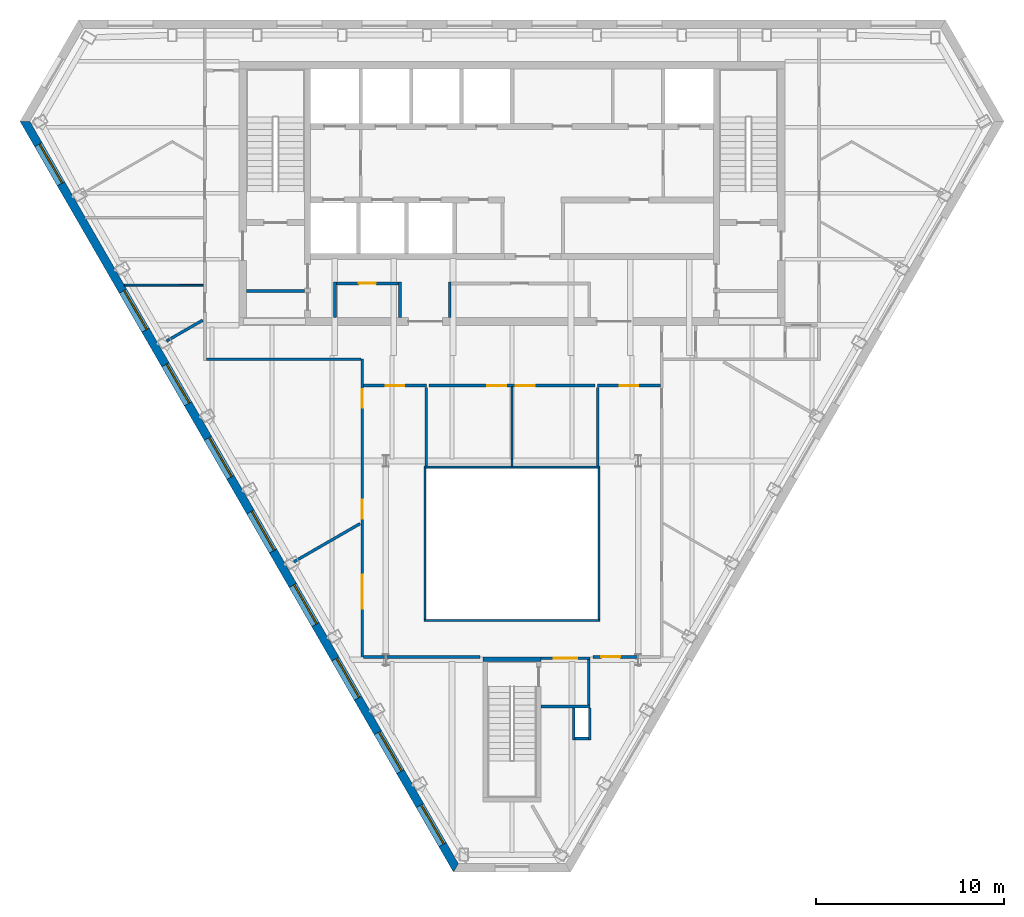
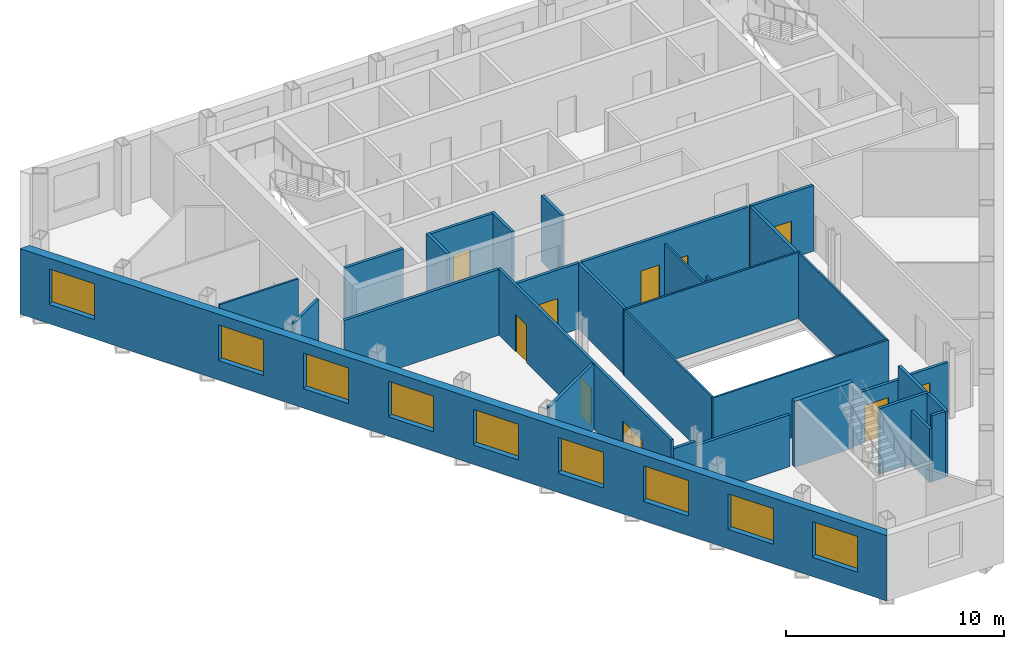
# One storey, part 4 of 10: 32 walls, 10 doors, 9 windows, 19 openings.
"""IFC4 building model written with IfcOpenShell, lengths in metres."""

from ifc_helpers import new_model, si_unit, direction, frame, frame_2d, origin, place, context, subcontext, project, spatial, polyline, rectangle, outline, extrude, material, layer, layer_set, type_object, element, fill, save


model = new_model("IFC4")

# Units and contexts
model_context = context("Model", 3, precision=1e-05, world=origin(), true_north=direction((0.0, 1.0)))
body_context = subcontext(model_context, "Body", "Model", "MODEL_VIEW")
ifc_project = project(units=[si_unit("LENGTHUNIT", "METRE"), si_unit("AREAUNIT", "SQUARE_METRE"), si_unit("VOLUMEUNIT", "CUBIC_METRE"), si_unit("PLANEANGLEUNIT", "RADIAN"), si_unit("MASSUNIT", "GRAM", prefix="KILO")], contexts=[model_context])

# Site, building, storey
site_placement = place(None, origin())
site = spatial("IfcSite", under=ifc_project, at=site_placement, CompositionType="ELEMENT")
building_placement = place(site_placement, origin())
building = spatial("IfcBuilding", under=site, at=building_placement, Name="Njiva Tower", CompositionType="ELEMENT")
storey_placement = place(building_placement, frame((0.0, 0.0, 245.4)))
storey = spatial("IfcBuildingStorey", under=building, at=storey_placement, Name="L55", CompositionType="ELEMENT", Elevation=245.4)

# Walls
ifc_material_1 = material(Name="Blockwork", Category="masonry")
ifc_layer_1 = layer(ifc_material_1, 0.15)
ifc_layer_set_1 = layer_set([ifc_layer_1], Name="Blockwork")
wall_type_1 = type_object("IfcWallType", Name="WT1 Compartment partition 150", PredefinedType="PARTITIONING", material=ifc_layer_set_1)
wall_1_placement = place(storey_placement, frame((-14.1, 5.825, 0.0), z_axis=(0.0, 0.0, 1.0), x_axis=(1.0, 0.0, 0.0)))
element("IfcWall", 1, at=wall_1_placement, inside=storey, type_object=wall_type_1, Name="Room wall A", PredefinedType="PARTITIONING", context=body_context, shape_type="SweptSolid", body=[
    extrude(rectangle(XDim=3.1, YDim=0.15, at=frame_2d((1.55, 0.0))), origin(), (0.0, 0.0, 1.0), 3.7),
])
for number, where, z_axis, x_axis, name in (
    (2, (-9.4, 4.4, 0.0), (0.0, 0.0, 1.0), (0.0, 1.0, 0.0), "First aid room wall west"),
    (3, (-5.95, 4.4, 0.0), (0.0, 0.0, 1.0), (0.0, 1.0, 0.0), "First aid room wall east"),
):
    element("IfcWall", number, at=place(storey_placement, frame(where, z_axis=z_axis, x_axis=x_axis)), inside=storey, type_object=wall_type_1, Name=name, PredefinedType="PARTITIONING", context=body_context, shape_type="SweptSolid", body=[
        extrude(rectangle(XDim=1.895, YDim=0.15, at=frame_2d((0.9475, 0.0))), origin(), (0.0, 0.0, 1.0), 3.7),
    ])

# Wall, opening, door
wall_2_placement = place(storey_placement, frame((-9.325, 6.22, 0.0), z_axis=(0.0, 0.0, 1.0), x_axis=(1.0, 0.0, 0.0)))
wall_2 = element("IfcWall", 4, at=wall_2_placement, inside=storey, type_object=wall_type_1, Name="First aid room wall north", PredefinedType="PARTITIONING", context=body_context, shape_type="SweptSolid", body=[
    extrude(rectangle(XDim=3.3, YDim=0.15, at=frame_2d((1.65, 0.0))), origin(), (0.0, 0.0, 1.0), 3.7),
])
opening_1_placement = place(wall_2_placement, frame((1.2, 0.0, 0.0)))
opening_1 = element("IfcOpeningElement", 5, at=opening_1_placement, cuts=wall_2, Name="Opening S18-D923", PredefinedType="OPENING", context=body_context, shape_type="SweptSolid", body=[
    extrude(rectangle(XDim=0.9, YDim=2.1, at=frame_2d((0.45, 1.05))), frame((0.0, 0.085, 0.0), z_axis=(0.0, -1.0, 0.0), x_axis=(1.0, 0.0, 0.0)), (0.0, 0.0, 1.0), 0.17),
])
ifc_material_2 = material(Name="Steel fire door, painted", Category="steel")
door_type_1 = type_object("IfcDoorType", Name="D6 Fire-rated door 900x2100", OperationType="SINGLE_SWING_LEFT", PredefinedType="DOOR", material=ifc_material_2)
door_1_placement = place(opening_1_placement, origin())
door_1 = element("IfcDoor", 6, at=door_1_placement, inside=storey, type_object=door_type_1, Name="First aid room door", OperationType="SINGLE_SWING_RIGHT", OverallHeight=2.1, OverallWidth=0.9, PredefinedType="DOOR", context=body_context, shape_type="SweptSolid", body=[
    extrude(rectangle(XDim=0.9, YDim=2.1, at=frame_2d((0.45, 1.05))), frame((0.0, 0.025, 0.0), z_axis=(0.0, -1.0, 0.0), x_axis=(1.0, 0.0, 0.0)), (0.0, 0.0, 1.0), 0.05),
])
fill(opening_1, door_1)

# Walls
wall_3_placement = place(storey_placement, frame((-3.3, 4.4, 0.0), z_axis=(0.0, 0.0, 1.0), x_axis=(0.0, 1.0, 0.0)))
element("IfcWall", 7, at=wall_3_placement, inside=storey, type_object=wall_type_1, Name="Parcel room wall west", PredefinedType="PARTITIONING", context=body_context, shape_type="SweptSolid", body=[
    extrude(rectangle(XDim=1.895, YDim=0.15, at=frame_2d((0.9475, 0.0))), origin(), (0.0, 0.0, 1.0), 3.7),
])
ifc_material_3 = material(Name="Gypsum board on steel studs", Category="gypsum")
ifc_layer_2 = layer(ifc_material_3, 0.1)
ifc_layer_set_2 = layer_set([ifc_layer_2], Name="Gypsum board on steel studs")
wall_type_2 = type_object("IfcWallType", Name="WT20 Gypsum partition 100", PredefinedType="PARTITIONING", material=ifc_layer_set_2)
wall_4_placement = place(storey_placement, frame((-20.572, 6.132, 0.0), z_axis=(0.0, 0.0, 1.0), x_axis=(0.999998183352, -0.001906119959, 0.0)))
element("IfcWall", 8, at=wall_4_placement, inside=storey, type_object=wall_type_2, Name="Partition S18-P003", PredefinedType="PARTITIONING", context=body_context, shape_type="SweptSolid", body=[
    extrude(rectangle(XDim=4.197, YDim=0.1, at=frame_2d((2.0985, 0.0))), origin(), (0.0, 0.0, 1.0), 3.7),
])
wall_5_placement = place(storey_placement, frame((-0.001, 0.725, 0.0), z_axis=(0.0, 0.0, 1.0), x_axis=(0.000235294111, -0.999999972318, 0.0)))
element("IfcWall", 9, at=wall_5_placement, inside=storey, type_object=wall_type_2, Name="Partition S18-P016", PredefinedType="PARTITIONING", context=body_context, shape_type="SweptSolid", body=[
    extrude(rectangle(XDim=3.825, YDim=0.1, at=frame_2d((1.9125, 0.0))), origin(), (0.0, 0.0, 1.0), 3.2),
])
wall_6_placement = place(storey_placement, frame((-0.0001, -3.1, 0.0), z_axis=(0.0, 0.0, 1.0), x_axis=(0.000263157886, -0.999999965374, 0.0)))
element("IfcWall", 10, at=wall_6_placement, inside=storey, type_object=wall_type_2, Name="Partition S18-P016A", PredefinedType="PARTITIONING", context=body_context, shape_type="SweptSolid", body=[
    extrude(rectangle(XDim=0.38, YDim=0.1, at=frame_2d((0.19, 0.0))), origin(), (0.0, 0.0, 1.0), 3.7),
])
ifc_layer_3 = layer(ifc_material_3, 0.15)
ifc_layer_set_3 = layer_set([ifc_layer_3], Name="Gypsum board on steel studs")
wall_type_3 = type_object("IfcWallType", Name="WT21 Compartment wall 150", PredefinedType="PARTITIONING", material=ifc_layer_set_3)
wall_7_placement = place(storey_placement, frame((-18.337, 3.159, 0.0), z_axis=(0.0, 0.0, 1.0), x_axis=(0.866297945504, 0.499527646498, 0.0)))
element("IfcWall", 11, at=wall_7_placement, inside=storey, type_object=wall_type_3, Name="Partition S18-P004", PredefinedType="PARTITIONING", context=body_context, shape_type="SweptSolid", body=[
    extrude(rectangle(XDim=2.2221, YDim=0.15, at=frame_2d((1.1111, 0.0))), origin(), (0.0, 0.0, 1.0), 3.7),
])
wall_8_placement = place(storey_placement, frame((-16.225, 2.2, 0.0), z_axis=(0.0, 0.0, 1.0), x_axis=(1.0, 0.0, 0.0)))
element("IfcWall", 12, at=wall_8_placement, inside=storey, type_object=wall_type_3, Name="Partition S18-P008", PredefinedType="PARTITIONING", context=body_context, shape_type="SweptSolid", body=[
    extrude(rectangle(XDim=8.2, YDim=0.15, at=frame_2d((4.1, 0.0))), origin(), (0.0, 0.0, 1.0), 3.7),
])
wall_9_placement = place(storey_placement, frame((-11.574, -8.554, 0.0), z_axis=(0.0, 0.0, 1.0), x_axis=(0.866202010042, 0.499693984153, 0.0)))
element("IfcWall", 13, at=wall_9_placement, inside=storey, type_object=wall_type_3, Name="Partition S18-P010", PredefinedType="PARTITIONING", context=body_context, shape_type="SweptSolid", body=[
    extrude(rectangle(XDim=4.0545, YDim=0.15, at=frame_2d((2.0272, 0.0))), origin(), (0.0, 0.0, 1.0), 3.7),
])

# Wall, openings, doors
wall_10_placement = place(storey_placement, frame((-7.95, -13.675, 0.0), z_axis=(0.0, 0.0, 1.0), x_axis=(0.0, 1.0, 0.0)))
wall_10 = element("IfcWall", 14, at=wall_10_placement, inside=storey, type_object=wall_type_3, Name="Partition S18-P011", PredefinedType="PARTITIONING", context=body_context, shape_type="SweptSolid", body=[
    extrude(rectangle(XDim=15.887, YDim=0.15, at=frame_2d((7.9435, 0.0))), origin(), (0.0, 0.0, 1.0), 3.7),
])
opening_2_placement = place(wall_10_placement, frame((2.642, 0.0, 0.0)))
opening_2 = element("IfcOpeningElement", 15, at=opening_2_placement, cuts=wall_10, Name="Opening S18-D006", PredefinedType="OPENING", context=body_context, shape_type="SweptSolid", body=[
    extrude(rectangle(XDim=1.8, YDim=2.1, at=frame_2d((0.9, 1.05))), frame((0.0, 0.085, 0.0), z_axis=(0.0, -1.0, 0.0), x_axis=(1.0, 0.0, 0.0)), (0.0, 0.0, 1.0), 0.17),
])
opening_3_placement = place(wall_10_placement, frame((7.411, 0.0, 0.0)))
opening_3 = element("IfcOpeningElement", 16, at=opening_3_placement, cuts=wall_10, Name="Opening S18-D007", PredefinedType="OPENING", context=body_context, shape_type="SweptSolid", body=[
    extrude(rectangle(XDim=1.0, YDim=2.1, at=frame_2d((0.5, 1.05))), frame((0.0, 0.085, 0.0), z_axis=(0.0, -1.0, 0.0), x_axis=(1.0, 0.0, 0.0)), (0.0, 0.0, 1.0), 0.17),
])
opening_4_placement = place(wall_10_placement, frame((13.287, 0.0, 0.0)))
opening_4 = element("IfcOpeningElement", 17, at=opening_4_placement, cuts=wall_10, Name="Opening S18-D008", PredefinedType="OPENING", context=body_context, shape_type="SweptSolid", body=[
    extrude(rectangle(XDim=1.0, YDim=2.1, at=frame_2d((0.5, 1.05))), frame((0.0, 0.085, 0.0), z_axis=(0.0, -1.0, 0.0), x_axis=(1.0, 0.0, 0.0)), (0.0, 0.0, 1.0), 0.17),
])
ifc_material_4 = material(Name="Steel fire door set", Category="steel")
door_type_2 = type_object("IfcDoorType", Name="D37 Fire door 1000x2100", OperationType="SINGLE_SWING_LEFT", PredefinedType="DOOR", material=ifc_material_4)
door_2_placement = place(opening_3_placement, origin())
door_2 = element("IfcDoor", 18, at=door_2_placement, inside=storey, type_object=door_type_2, Name="Door S18-D007", OperationType="SINGLE_SWING_RIGHT", OverallHeight=2.1, OverallWidth=1.0, PredefinedType="DOOR", context=body_context, shape_type="SweptSolid", body=[
    extrude(rectangle(XDim=1.0, YDim=2.1, at=frame_2d((0.5, 1.05))), frame((0.0, 0.025, 0.0), z_axis=(0.0, -1.0, 0.0), x_axis=(1.0, 0.0, 0.0)), (0.0, 0.0, 1.0), 0.05),
])
fill(opening_3, door_2)
door_3_placement = place(opening_4_placement, origin())
door_3 = element("IfcDoor", 19, at=door_3_placement, inside=storey, type_object=door_type_2, Name="Door S18-D008", OperationType="SINGLE_SWING_LEFT", OverallHeight=2.1, OverallWidth=1.0, PredefinedType="DOOR", context=body_context, shape_type="SweptSolid", body=[
    extrude(rectangle(XDim=1.0, YDim=2.1, at=frame_2d((0.5, 1.05))), frame((0.0, 0.025, 0.0), z_axis=(0.0, -1.0, 0.0), x_axis=(1.0, 0.0, 0.0)), (0.0, 0.0, 1.0), 0.05),
])
fill(opening_4, door_3)
door_type_3 = type_object("IfcDoorType", Name="D38 Fire door 1800x2100", OperationType="DOUBLE_DOOR_SINGLE_SWING", PredefinedType="DOOR", material=ifc_material_4)
door_4_placement = place(opening_2_placement, origin())
door_4 = element("IfcDoor", 20, at=door_4_placement, inside=storey, type_object=door_type_3, Name="Door S18-D006", OperationType="DOUBLE_DOOR_SINGLE_SWING", OverallHeight=2.1, OverallWidth=1.8, PredefinedType="DOOR", context=body_context, shape_type="SweptSolid", body=[
    extrude(rectangle(XDim=1.8, YDim=2.1, at=frame_2d((0.9, 1.05))), frame((0.0, 0.025, 0.0), z_axis=(0.0, -1.0, 0.0), x_axis=(1.0, 0.0, 0.0)), (0.0, 0.0, 1.0), 0.05),
])
fill(opening_2, door_4)

# Walls
wall_11_placement = place(storey_placement, frame((-7.875, -13.6, 0.0), z_axis=(0.0, 0.0, 1.0), x_axis=(1.0, 0.0, 0.0)))
element("IfcWall", 21, at=wall_11_placement, inside=storey, type_object=wall_type_3, Name="Partition S18-P012", PredefinedType="PARTITIONING", context=body_context, shape_type="SweptSolid", body=[
    extrude(rectangle(XDim=1.175, YDim=0.15, at=frame_2d((0.5875, 0.0))), origin(), (0.0, 0.0, 1.0), 3.16),
])
wall_12_placement = place(storey_placement, frame((-6.7, -13.6, 0.0), z_axis=(0.0, 0.0, 1.0), x_axis=(1.0, 0.0, 0.0)))
element("IfcWall", 22, at=wall_12_placement, inside=storey, type_object=wall_type_3, Name="Partition S18-P012A", PredefinedType="PARTITIONING", context=body_context, shape_type="SweptSolid", body=[
    extrude(rectangle(XDim=5.0, YDim=0.15, at=frame_2d((2.5, 0.0))), origin(), (0.0, 0.0, 1.0), 2.91),
])

# Wall, opening, door
wall_13_placement = place(storey_placement, frame((-7.875, 0.8, 0.0), z_axis=(0.0, 0.0, 1.0), x_axis=(1.0, 0.0, 0.0)))
wall_13 = element("IfcWall", 23, at=wall_13_placement, inside=storey, type_object=wall_type_3, Name="Partition S18-P013", PredefinedType="PARTITIONING", context=body_context, shape_type="SweptSolid", body=[
    extrude(rectangle(XDim=3.337, YDim=0.15, at=frame_2d((1.6685, 0.0))), origin(), (0.0, 0.0, 1.0), 3.7),
])
opening_5_placement = place(wall_13_placement, frame((1.168, 0.0, 0.0)))
opening_5 = element("IfcOpeningElement", 24, at=opening_5_placement, cuts=wall_13, Name="Opening S18-D009", PredefinedType="OPENING", context=body_context, shape_type="SweptSolid", body=[
    extrude(rectangle(XDim=1.0, YDim=2.1, at=frame_2d((0.5, 1.05))), frame((0.0, 0.085, 0.0), z_axis=(0.0, -1.0, 0.0), x_axis=(1.0, 0.0, 0.0)), (0.0, 0.0, 1.0), 0.17),
])
door_5_placement = place(opening_5_placement, origin())
door_5 = element("IfcDoor", 25, at=door_5_placement, inside=storey, type_object=door_type_2, Name="Door S18-D009", OperationType="SINGLE_SWING_RIGHT", OverallHeight=2.1, OverallWidth=1.0, PredefinedType="DOOR", context=body_context, shape_type="SweptSolid", body=[
    extrude(rectangle(XDim=1.0, YDim=2.1, at=frame_2d((0.5, 1.05))), frame((0.0, 0.025, 0.0), z_axis=(0.0, -1.0, 0.0), x_axis=(1.0, 0.0, 0.0)), (0.0, 0.0, 1.0), 0.05),
])
fill(opening_5, door_5)

# Wall
wall_14_placement = place(storey_placement, frame((-4.55, -3.48, 0.0), z_axis=(0.0, 0.0, 1.0), x_axis=(0.000238834481, 0.999999971479, 0.0)))
element("IfcWall", 26, at=wall_14_placement, inside=storey, type_object=wall_type_3, Name="Partition S18-P014", PredefinedType="PARTITIONING", context=body_context, shape_type="SweptSolid", body=[
    extrude(rectangle(XDim=4.187, YDim=0.15, at=frame_2d((2.0935, 0.0))), origin(), (0.0, 0.0, 1.0), 3.7),
])

# Wall, openings, doors
wall_15_placement = place(storey_placement, frame((-4.41, 0.8, 0.0), z_axis=(0.0, 0.0, 1.0), x_axis=(1.0, 0.0, 0.0)))
wall_15 = element("IfcWall", 27, at=wall_15_placement, inside=storey, type_object=wall_type_3, Name="Partition S18-P015", PredefinedType="PARTITIONING", context=body_context, shape_type="SweptSolid", body=[
    extrude(rectangle(XDim=8.82, YDim=0.15, at=frame_2d((4.41, 0.0))), origin(), (0.0, 0.0, 1.0), 3.7),
])
opening_6_placement = place(wall_15_placement, frame((3.106, 0.0, 0.0)))
opening_6 = element("IfcOpeningElement", 28, at=opening_6_placement, cuts=wall_15, Name="Opening S18-D010", PredefinedType="OPENING", context=body_context, shape_type="SweptSolid", body=[
    extrude(rectangle(XDim=1.0, YDim=2.1, at=frame_2d((0.5, 1.05))), frame((0.0, 0.085, 0.0), z_axis=(0.0, -1.0, 0.0), x_axis=(1.0, 0.0, 0.0)), (0.0, 0.0, 1.0), 0.17),
])
opening_7_placement = place(wall_15_placement, frame((4.611, 0.0, 0.0)))
opening_7 = element("IfcOpeningElement", 29, at=opening_7_placement, cuts=wall_15, Name="Opening S18-D011", PredefinedType="OPENING", context=body_context, shape_type="SweptSolid", body=[
    extrude(rectangle(XDim=1.0, YDim=2.1, at=frame_2d((0.5, 1.05))), frame((0.0, 0.085, 0.0), z_axis=(0.0, -1.0, 0.0), x_axis=(1.0, 0.0, 0.0)), (0.0, 0.0, 1.0), 0.17),
])
door_6_placement = place(opening_6_placement, origin())
door_6 = element("IfcDoor", 30, at=door_6_placement, inside=storey, type_object=door_type_2, Name="Door S18-D010", OperationType="SINGLE_SWING_LEFT", OverallHeight=2.1, OverallWidth=1.0, PredefinedType="DOOR", context=body_context, shape_type="SweptSolid", body=[
    extrude(rectangle(XDim=1.0, YDim=2.1, at=frame_2d((0.5, 1.05))), frame((0.0, 0.025, 0.0), z_axis=(0.0, -1.0, 0.0), x_axis=(1.0, 0.0, 0.0)), (0.0, 0.0, 1.0), 0.05),
])
fill(opening_6, door_6)
door_7_placement = place(opening_7_placement, origin())
door_7 = element("IfcDoor", 31, at=door_7_placement, inside=storey, type_object=door_type_2, Name="Door S18-D011", OperationType="SINGLE_SWING_RIGHT", OverallHeight=2.1, OverallWidth=1.0, PredefinedType="DOOR", context=body_context, shape_type="SweptSolid", body=[
    extrude(rectangle(XDim=1.0, YDim=2.1, at=frame_2d((0.5, 1.05))), frame((0.0, 0.025, 0.0), z_axis=(0.0, -1.0, 0.0), x_axis=(1.0, 0.0, 0.0)), (0.0, 0.0, 1.0), 0.05),
])
fill(opening_7, door_7)

# Wall, opening, door
wall_16_placement = place(storey_placement, frame((4.3, -13.6, 0.0), z_axis=(0.0, 0.0, 1.0), x_axis=(1.0, 0.0, 0.0)))
wall_16 = element("IfcWall", 32, at=wall_16_placement, inside=storey, type_object=wall_type_3, Name="Partition S18-P018", PredefinedType="PARTITIONING", context=body_context, shape_type="SweptSolid", body=[
    extrude(rectangle(XDim=2.4, YDim=0.15, at=frame_2d((1.2, 0.0))), origin(), (0.0, 0.0, 1.0), 2.91),
])
opening_8_placement = place(wall_16_placement, frame((0.438, 0.0, 0.0)))
opening_8 = element("IfcOpeningElement", 33, at=opening_8_placement, cuts=wall_16, Name="Opening S18-D012", PredefinedType="OPENING", context=body_context, shape_type="SweptSolid", body=[
    extrude(rectangle(XDim=1.0, YDim=2.1, at=frame_2d((0.5, 1.05))), frame((0.0, 0.085, 0.0), z_axis=(0.0, -1.0, 0.0), x_axis=(1.0, 0.0, 0.0)), (0.0, 0.0, 1.0), 0.17),
])
door_8_placement = place(opening_8_placement, origin())
door_8 = element("IfcDoor", 34, at=door_8_placement, inside=storey, type_object=door_type_2, Name="Door S18-D012", OperationType="SINGLE_SWING_LEFT", OverallHeight=2.1, OverallWidth=1.0, PredefinedType="DOOR", context=body_context, shape_type="SweptSolid", body=[
    extrude(rectangle(XDim=1.0, YDim=2.1, at=frame_2d((0.5, 1.05))), frame((0.0, 0.025, 0.0), z_axis=(0.0, -1.0, 0.0), x_axis=(1.0, 0.0, 0.0)), (0.0, 0.0, 1.0), 0.05),
])
fill(opening_8, door_8)

wall_17_placement = place(storey_placement, frame((4.538, 0.8, 0.0), z_axis=(0.0, 0.0, 1.0), x_axis=(1.0, 0.0, 0.0)))
wall_17 = element("IfcWall", 35, at=wall_17_placement, inside=storey, type_object=wall_type_3, Name="Partition S18-P019", PredefinedType="PARTITIONING", context=body_context, shape_type="SweptSolid", body=[
    extrude(rectangle(XDim=3.337, YDim=0.15, at=frame_2d((1.6685, 0.0))), origin(), (0.0, 0.0, 1.0), 3.7),
])
opening_9_placement = place(wall_17_placement, frame((1.168, 0.0, 0.0)))
opening_9 = element("IfcOpeningElement", 36, at=opening_9_placement, cuts=wall_17, Name="Opening S18-D013", PredefinedType="OPENING", context=body_context, shape_type="SweptSolid", body=[
    extrude(rectangle(XDim=1.0, YDim=2.1, at=frame_2d((0.5, 1.05))), frame((0.0, 0.085, 0.0), z_axis=(0.0, -1.0, 0.0), x_axis=(1.0, 0.0, 0.0)), (0.0, 0.0, 1.0), 0.17),
])
door_9_placement = place(opening_9_placement, origin())
door_9 = element("IfcDoor", 37, at=door_9_placement, inside=storey, type_object=door_type_2, Name="Door S18-D013", OperationType="SINGLE_SWING_RIGHT", OverallHeight=2.1, OverallWidth=1.0, PredefinedType="DOOR", context=body_context, shape_type="SweptSolid", body=[
    extrude(rectangle(XDim=1.0, YDim=2.1, at=frame_2d((0.5, 1.05))), frame((0.0, 0.025, 0.0), z_axis=(0.0, -1.0, 0.0), x_axis=(1.0, 0.0, 0.0)), (0.0, 0.0, 1.0), 0.05),
])
fill(opening_9, door_9)

# Walls
wall_18_placement = place(storey_placement, frame((4.549, -3.48, 0.0), z_axis=(0.0, 0.0, 1.0), x_axis=(0.0, 1.0, 0.0)))
element("IfcWall", 38, at=wall_18_placement, inside=storey, type_object=wall_type_3, Name="Partition S18-P020", PredefinedType="PARTITIONING", context=body_context, shape_type="SweptSolid", body=[
    extrude(rectangle(XDim=4.187, YDim=0.15, at=frame_2d((2.0935, 0.0))), origin(), (0.0, 0.0, 1.0), 3.7),
])
ifc_layer_4 = layer(ifc_material_1, 0.15)
ifc_layer_set_4 = layer_set([ifc_layer_4], Name="Blockwork")
wall_type_4 = type_object("IfcWallType", Name="WT4 Stair partition 150", PredefinedType="PARTITIONING", material=ifc_layer_set_4)
wall_19_placement = place(storey_placement, frame((1.55, -16.225, 0.0), z_axis=(0.0, 0.0, 1.0), x_axis=(1.0, 0.0, 0.0)))
element("IfcWall", 39, at=wall_19_placement, inside=storey, type_object=wall_type_4, Name="Stair C vestibule wall south", PredefinedType="PARTITIONING", context=body_context, shape_type="SweptSolid", body=[
    extrude(rectangle(XDim=2.6, YDim=0.15, at=frame_2d((1.3, 0.0))), origin(), (0.0, 0.0, 1.0), 3.7),
])
wall_20_placement = place(storey_placement, frame((4.075, -16.15, 0.0), z_axis=(0.0, 0.0, 1.0), x_axis=(0.0, 1.0, 0.0)))
element("IfcWall", 40, at=wall_20_placement, inside=storey, type_object=wall_type_4, Name="Stair C vestibule wall east", PredefinedType="PARTITIONING", context=body_context, shape_type="SweptSolid", body=[
    extrude(rectangle(XDim=2.4, YDim=0.15, at=frame_2d((1.2, 0.0))), origin(), (0.0, 0.0, 1.0), 3.7),
])

# Wall, opening, door
wall_21_placement = place(storey_placement, frame((1.55, -13.675, 0.0), z_axis=(0.0, 0.0, 1.0), x_axis=(1.0, 0.0, 0.0)))
wall_21 = element("IfcWall", 41, at=wall_21_placement, inside=storey, type_object=wall_type_4, Name="Stair C vestibule wall north", PredefinedType="PARTITIONING", context=body_context, shape_type="SweptSolid", body=[
    extrude(rectangle(XDim=2.6, YDim=0.15, at=frame_2d((1.3, 0.0))), origin(), (0.0, 0.0, 1.0), 2.91),
])
opening_10_placement = place(wall_21_placement, frame((0.675, 0.0, 0.0)))
opening_10 = element("IfcOpeningElement", 42, at=opening_10_placement, cuts=wall_21, Name="Opening S18-D929", PredefinedType="OPENING", context=body_context, shape_type="SweptSolid", body=[
    extrude(rectangle(XDim=1.25, YDim=2.1, at=frame_2d((0.625, 1.05))), frame((0.0, 0.085, 0.0), z_axis=(0.0, -1.0, 0.0), x_axis=(1.0, 0.0, 0.0)), (0.0, 0.0, 1.0), 0.17),
])
ifc_material_5 = material(Name="Glazed steel fire door", Category="steel")
door_type_4 = type_object("IfcDoorType", Name="D8 Vestibule corridor door 1250x2100 glazed", OperationType="SINGLE_SWING_LEFT", PredefinedType="DOOR", material=ifc_material_5)
door_10_placement = place(opening_10_placement, origin())
door_10 = element("IfcDoor", 43, at=door_10_placement, inside=storey, type_object=door_type_4, Name="Stair vestibule corridor door", OperationType="SINGLE_SWING_RIGHT", OverallHeight=2.1, OverallWidth=1.25, PredefinedType="DOOR", context=body_context, shape_type="SweptSolid", body=[
    extrude(rectangle(XDim=1.25, YDim=2.1, at=frame_2d((0.625, 1.05))), frame((0.0, 0.025, 0.0), z_axis=(0.0, -1.0, 0.0), x_axis=(1.0, 0.0, 0.0)), (0.0, 0.0, 1.0), 0.05),
])
fill(opening_10, door_10)

# Walls
wall_22_placement = place(storey_placement, frame((3.275, -18.0, 0.0), z_axis=(0.0, 0.0, 1.0), x_axis=(0.0, 1.0, 0.0)))
element("IfcWall", 44, at=wall_22_placement, inside=storey, type_object=wall_type_4, Name="Stair C pressurisation shaft wall", PredefinedType="PARTITIONING", context=body_context, shape_type="SweptSolid", body=[
    extrude(rectangle(XDim=1.7, YDim=0.15, at=frame_2d((0.85, 0.0))), origin(), (0.0, 0.0, 1.0), 3.01),
])
wall_23_placement = place(storey_placement, frame((3.35, -17.925, 0.0), z_axis=(0.0, 0.0, 1.0), x_axis=(1.0, 0.0, 0.0)))
element("IfcWall", 45, at=wall_23_placement, inside=storey, type_object=wall_type_4, Name="Stair C pressurisation shaft wall", PredefinedType="PARTITIONING", context=body_context, shape_type="SweptSolid", body=[
    extrude(rectangle(XDim=0.7, YDim=0.15, at=frame_2d((0.35, 0.0))), origin(), (0.0, 0.0, 1.0), 3.7),
])
wall_24_placement = place(storey_placement, frame((4.125, -18.0, 0.0), z_axis=(0.0, 0.0, 1.0), x_axis=(0.0, 1.0, 0.0)))
element("IfcWall", 46, at=wall_24_placement, inside=storey, type_object=wall_type_4, Name="Stair C pressurisation shaft wall", PredefinedType="PARTITIONING", context=body_context, shape_type="SweptSolid", body=[
    extrude(rectangle(XDim=1.7, YDim=0.15, at=frame_2d((0.85, 0.0))), origin(), (0.0, 0.0, 1.0), 3.7),
])
ifc_material_6 = material(Name="Concrete C40/50", Category="concrete")
ifc_layer_5 = layer(ifc_material_6, 0.25)
ifc_layer_set_5 = layer_set([ifc_layer_5], Name="Concrete C40/50")
wall_type_5 = type_object("IfcWallType", Name="WT9 Stair enclosure wall 250", PredefinedType="SHEAR", material=ifc_layer_set_5)
wall_25_placement = place(storey_placement, frame((-1.55, -13.725, 0.0), z_axis=(0.0, 0.0, 1.0), x_axis=(1.0, 0.0, 0.0)))
element("IfcWall", 47, at=wall_25_placement, inside=storey, type_object=wall_type_5, Name="Stair C wall north", PredefinedType="SHEAR", context=body_context, shape_type="SweptSolid", body=[
    extrude(rectangle(XDim=3.1, YDim=0.25, at=frame_2d((1.55, 0.0))), origin(), (0.0, 0.0, 1.0), 3.7),
])

# Wall, openings, windows
ifc_material_7 = material(Name="Brick masonry", Category="masonry")
ifc_layer_6 = layer(ifc_material_7, 0.45)
ifc_layer_set_6 = layer_set([ifc_layer_6], Name="Brick masonry")
wall_type_6 = type_object("IfcWallType", Name="WT90 Brick pier and spandrel wall 450", PredefinedType="SOLIDWALL", material=ifc_layer_set_6)
wall_26_placement = place(storey_placement, frame((-25.8502, 14.822, -0.18), z_axis=(0.0, 0.0, 1.0), x_axis=(0.500000335318, -0.866025210188, 0.0)))
wall_26 = element("IfcWall", 48, at=wall_26_placement, inside=storey, type_object=wall_type_6, Name="Facade wall SW", PredefinedType="SOLIDWALL", context=body_context, shape_type="SweptSolid", body=[
    extrude(outline(polyline([(-0.1299, -0.225), (45.8801, -0.225), (45.6203, 0.225), (0.1299, 0.225), (-0.1299, -0.225)])), origin(), (0.0, 0.0, 1.0), 3.68),
])
opening_11_placement = place(wall_26_placement, frame((1.4247, 0.0, 1.08)))
opening_11 = element("IfcOpeningElement", 49, at=opening_11_placement, cuts=wall_26, Name="Opening S18-W09", PredefinedType="OPENING", context=body_context, shape_type="SweptSolid", body=[
    extrude(rectangle(XDim=2.4, YDim=2.0, at=frame_2d((1.2, 1.0))), frame((0.0, 0.235, 0.0), z_axis=(0.0, -1.0, 0.0), x_axis=(1.0, 0.0, 0.0)), (0.0, 0.0, 1.0), 0.47),
])
opening_12_placement = place(wall_26_placement, frame((10.4035, 0.0, 1.08)))
opening_12 = element("IfcOpeningElement", 50, at=opening_12_placement, cuts=wall_26, Name="Opening S18-W10", PredefinedType="OPENING", context=body_context, shape_type="SweptSolid", body=[
    extrude(rectangle(XDim=2.4, YDim=2.0, at=frame_2d((1.2, 1.0))), frame((0.0, 0.235, 0.0), z_axis=(0.0, -1.0, 0.0), x_axis=(1.0, 0.0, 0.0)), (0.0, 0.0, 1.0), 0.47),
])
opening_13_placement = place(wall_26_placement, frame((14.9122, 0.0, 1.08)))
opening_13 = element("IfcOpeningElement", 51, at=opening_13_placement, cuts=wall_26, Name="Opening S18-W11", PredefinedType="OPENING", context=body_context, shape_type="SweptSolid", body=[
    extrude(rectangle(XDim=2.4, YDim=2.0, at=frame_2d((1.2, 1.0))), frame((0.0, 0.235, 0.0), z_axis=(0.0, -1.0, 0.0), x_axis=(1.0, 0.0, 0.0)), (0.0, 0.0, 1.0), 0.47),
])
opening_14_placement = place(wall_26_placement, frame((19.4208, 0.0, 1.08)))
opening_14 = element("IfcOpeningElement", 52, at=opening_14_placement, cuts=wall_26, Name="Opening S18-W12", PredefinedType="OPENING", context=body_context, shape_type="SweptSolid", body=[
    extrude(rectangle(XDim=2.4, YDim=2.0, at=frame_2d((1.2, 1.0))), frame((0.0, 0.235, 0.0), z_axis=(0.0, -1.0, 0.0), x_axis=(1.0, 0.0, 0.0)), (0.0, 0.0, 1.0), 0.47),
])
opening_15_placement = place(wall_26_placement, frame((23.9294, 0.0, 1.08)))
opening_15 = element("IfcOpeningElement", 53, at=opening_15_placement, cuts=wall_26, Name="Opening S18-W13", PredefinedType="OPENING", context=body_context, shape_type="SweptSolid", body=[
    extrude(rectangle(XDim=2.4, YDim=2.0, at=frame_2d((1.2, 1.0))), frame((0.0, 0.235, 0.0), z_axis=(0.0, -1.0, 0.0), x_axis=(1.0, 0.0, 0.0)), (0.0, 0.0, 1.0), 0.47),
])
opening_16_placement = place(wall_26_placement, frame((28.438, 0.0, 1.08)))
opening_16 = element("IfcOpeningElement", 54, at=opening_16_placement, cuts=wall_26, Name="Opening S18-W14", PredefinedType="OPENING", context=body_context, shape_type="SweptSolid", body=[
    extrude(rectangle(XDim=2.4, YDim=2.0, at=frame_2d((1.2, 1.0))), frame((0.0, 0.235, 0.0), z_axis=(0.0, -1.0, 0.0), x_axis=(1.0, 0.0, 0.0)), (0.0, 0.0, 1.0), 0.47),
])
opening_17_placement = place(wall_26_placement, frame((32.9466, 0.0, 1.08)))
opening_17 = element("IfcOpeningElement", 55, at=opening_17_placement, cuts=wall_26, Name="Opening S18-W15", PredefinedType="OPENING", context=body_context, shape_type="SweptSolid", body=[
    extrude(rectangle(XDim=2.4, YDim=2.0, at=frame_2d((1.2, 1.0))), frame((0.0, 0.235, 0.0), z_axis=(0.0, -1.0, 0.0), x_axis=(1.0, 0.0, 0.0)), (0.0, 0.0, 1.0), 0.47),
])
opening_18_placement = place(wall_26_placement, frame((37.4553, 0.0, 1.08)))
opening_18 = element("IfcOpeningElement", 56, at=opening_18_placement, cuts=wall_26, Name="Opening S18-W16", PredefinedType="OPENING", context=body_context, shape_type="SweptSolid", body=[
    extrude(rectangle(XDim=2.4, YDim=2.0, at=frame_2d((1.2, 1.0))), frame((0.0, 0.235, 0.0), z_axis=(0.0, -1.0, 0.0), x_axis=(1.0, 0.0, 0.0)), (0.0, 0.0, 1.0), 0.47),
])
opening_19_placement = place(wall_26_placement, frame((41.9255, 0.0, 1.08)))
opening_19 = element("IfcOpeningElement", 57, at=opening_19_placement, cuts=wall_26, Name="Opening S18-W17", PredefinedType="OPENING", context=body_context, shape_type="SweptSolid", body=[
    extrude(rectangle(XDim=2.4, YDim=2.0, at=frame_2d((1.2, 1.0))), frame((0.0, 0.235, 0.0), z_axis=(0.0, -1.0, 0.0), x_axis=(1.0, 0.0, 0.0)), (0.0, 0.0, 1.0), 0.47),
])
ifc_material_8 = material(Name="Clear glazing in aluminium frame", Category="aluminium")
window_type = type_object("IfcWindowType", Name="W90 Deep-set window 2400x2000", PartitioningType="SINGLE_PANEL", PredefinedType="WINDOW", material=ifc_material_8)
window_1_placement = place(opening_11_placement, origin())
window_1 = element("IfcWindow", 58, at=window_1_placement, inside=storey, type_object=window_type, Name="Window", OverallHeight=2.0, OverallWidth=2.4, PartitioningType="SINGLE_PANEL", PredefinedType="WINDOW", context=body_context, shape_type="SweptSolid", body=[
    extrude(rectangle(XDim=2.4, YDim=2.0, at=frame_2d((1.2, 1.0))), frame((0.0, 0.105, 0.0), z_axis=(0.0, -1.0, 0.0), x_axis=(1.0, 0.0, 0.0)), (0.0, 0.0, 1.0), 0.06),
])
fill(opening_11, window_1)
window_2_placement = place(opening_12_placement, origin())
window_2 = element("IfcWindow", 59, at=window_2_placement, inside=storey, type_object=window_type, Name="Window", OverallHeight=2.0, OverallWidth=2.4, PartitioningType="SINGLE_PANEL", PredefinedType="WINDOW", context=body_context, shape_type="SweptSolid", body=[
    extrude(rectangle(XDim=2.4, YDim=2.0, at=frame_2d((1.2, 1.0))), frame((0.0, 0.105, 0.0), z_axis=(0.0, -1.0, 0.0), x_axis=(1.0, 0.0, 0.0)), (0.0, 0.0, 1.0), 0.06),
])
fill(opening_12, window_2)
window_3_placement = place(opening_13_placement, origin())
window_3 = element("IfcWindow", 60, at=window_3_placement, inside=storey, type_object=window_type, Name="Window", OverallHeight=2.0, OverallWidth=2.4, PartitioningType="SINGLE_PANEL", PredefinedType="WINDOW", context=body_context, shape_type="SweptSolid", body=[
    extrude(rectangle(XDim=2.4, YDim=2.0, at=frame_2d((1.2, 1.0))), frame((0.0, 0.105, 0.0), z_axis=(0.0, -1.0, 0.0), x_axis=(1.0, 0.0, 0.0)), (0.0, 0.0, 1.0), 0.06),
])
fill(opening_13, window_3)
window_4_placement = place(opening_14_placement, origin())
window_4 = element("IfcWindow", 61, at=window_4_placement, inside=storey, type_object=window_type, Name="Window", OverallHeight=2.0, OverallWidth=2.4, PartitioningType="SINGLE_PANEL", PredefinedType="WINDOW", context=body_context, shape_type="SweptSolid", body=[
    extrude(rectangle(XDim=2.4, YDim=2.0, at=frame_2d((1.2, 1.0))), frame((0.0, 0.105, 0.0), z_axis=(0.0, -1.0, 0.0), x_axis=(1.0, 0.0, 0.0)), (0.0, 0.0, 1.0), 0.06),
])
fill(opening_14, window_4)
window_5_placement = place(opening_15_placement, origin())
window_5 = element("IfcWindow", 62, at=window_5_placement, inside=storey, type_object=window_type, Name="Window", OverallHeight=2.0, OverallWidth=2.4, PartitioningType="SINGLE_PANEL", PredefinedType="WINDOW", context=body_context, shape_type="SweptSolid", body=[
    extrude(rectangle(XDim=2.4, YDim=2.0, at=frame_2d((1.2, 1.0))), frame((0.0, 0.105, 0.0), z_axis=(0.0, -1.0, 0.0), x_axis=(1.0, 0.0, 0.0)), (0.0, 0.0, 1.0), 0.06),
])
fill(opening_15, window_5)
window_6_placement = place(opening_16_placement, origin())
window_6 = element("IfcWindow", 63, at=window_6_placement, inside=storey, type_object=window_type, Name="Window", OverallHeight=2.0, OverallWidth=2.4, PartitioningType="SINGLE_PANEL", PredefinedType="WINDOW", context=body_context, shape_type="SweptSolid", body=[
    extrude(rectangle(XDim=2.4, YDim=2.0, at=frame_2d((1.2, 1.0))), frame((0.0, 0.105, 0.0), z_axis=(0.0, -1.0, 0.0), x_axis=(1.0, 0.0, 0.0)), (0.0, 0.0, 1.0), 0.06),
])
fill(opening_16, window_6)
window_7_placement = place(opening_17_placement, origin())
window_7 = element("IfcWindow", 64, at=window_7_placement, inside=storey, type_object=window_type, Name="Window", OverallHeight=2.0, OverallWidth=2.4, PartitioningType="SINGLE_PANEL", PredefinedType="WINDOW", context=body_context, shape_type="SweptSolid", body=[
    extrude(rectangle(XDim=2.4, YDim=2.0, at=frame_2d((1.2, 1.0))), frame((0.0, 0.105, 0.0), z_axis=(0.0, -1.0, 0.0), x_axis=(1.0, 0.0, 0.0)), (0.0, 0.0, 1.0), 0.06),
])
fill(opening_17, window_7)
window_8_placement = place(opening_18_placement, origin())
window_8 = element("IfcWindow", 65, at=window_8_placement, inside=storey, type_object=window_type, Name="Window", OverallHeight=2.0, OverallWidth=2.4, PartitioningType="SINGLE_PANEL", PredefinedType="WINDOW", context=body_context, shape_type="SweptSolid", body=[
    extrude(rectangle(XDim=2.4, YDim=2.0, at=frame_2d((1.2, 1.0))), frame((0.0, 0.105, 0.0), z_axis=(0.0, -1.0, 0.0), x_axis=(1.0, 0.0, 0.0)), (0.0, 0.0, 1.0), 0.06),
])
fill(opening_18, window_8)
window_9_placement = place(opening_19_placement, origin())
window_9 = element("IfcWindow", 66, at=window_9_placement, inside=storey, type_object=window_type, Name="Window", OverallHeight=2.0, OverallWidth=2.4, PartitioningType="SINGLE_PANEL", PredefinedType="WINDOW", context=body_context, shape_type="SweptSolid", body=[
    extrude(rectangle(XDim=2.4, YDim=2.0, at=frame_2d((1.2, 1.0))), frame((0.0, 0.105, 0.0), z_axis=(0.0, -1.0, 0.0), x_axis=(1.0, 0.0, 0.0)), (0.0, 0.0, 1.0), 0.06),
])
fill(opening_19, window_9)

# Walls
ifc_material_9 = material(Name="Fire-resisting glazing EI 90", Category="glass")
ifc_layer_7 = layer(ifc_material_9, 0.1)
ifc_layer_set_7 = layer_set([ifc_layer_7], Name="Fire-resisting glazing EI 90")
wall_type_7 = type_object("IfcWallType", Name="WT95 Fire-resisting glazed screen EI 90", PredefinedType="PARTITIONING", material=ifc_layer_set_7)
wall_27_placement = place(storey_placement, frame((-4.67, -11.67, 0.0), z_axis=(0.0, 0.0, 1.0), x_axis=(1.0, 0.0, 0.0)))
element("IfcWall", 67, at=wall_27_placement, inside=storey, type_object=wall_type_7, Name="Atrium fire screen south", PredefinedType="PARTITIONING", context=body_context, shape_type="SweptSolid", body=[
    extrude(rectangle(XDim=9.34, YDim=0.1, at=frame_2d((4.67, 0.0))), origin(), (0.0, 0.0, 1.0), 3.7),
])
wall_28_placement = place(storey_placement, frame((4.62, -11.62, 0.0), z_axis=(0.0, 0.0, 1.0), x_axis=(0.0, 1.0, 0.0)))
element("IfcWall", 68, at=wall_28_placement, inside=storey, type_object=wall_type_7, Name="Atrium fire screen east", PredefinedType="PARTITIONING", context=body_context, shape_type="SweptSolid", body=[
    extrude(rectangle(XDim=8.04, YDim=0.1, at=frame_2d((4.02, 0.0))), origin(), (0.0, 0.0, 1.0), 3.7),
])
wall_29_placement = place(storey_placement, frame((4.67, -3.53, 0.0), z_axis=(0.0, 0.0, 1.0), x_axis=(-1.0, 0.0, 0.0)))
element("IfcWall", 69, at=wall_29_placement, inside=storey, type_object=wall_type_7, Name="Atrium fire screen north", PredefinedType="PARTITIONING", context=body_context, shape_type="SweptSolid", body=[
    extrude(rectangle(XDim=9.34, YDim=0.1, at=frame_2d((4.67, 0.0))), origin(), (0.0, 0.0, 1.0), 3.7),
])
wall_30_placement = place(storey_placement, frame((-4.62, -3.58, 0.0), z_axis=(0.0, 0.0, 1.0), x_axis=(0.0, -1.0, 0.0)))
element("IfcWall", 70, at=wall_30_placement, inside=storey, type_object=wall_type_7, Name="Atrium fire screen west", PredefinedType="PARTITIONING", context=body_context, shape_type="SweptSolid", body=[
    extrude(rectangle(XDim=8.04, YDim=0.1, at=frame_2d((4.02, 0.0))), origin(), (0.0, 0.0, 1.0), 3.7),
])

save(model, "model.ifc")
